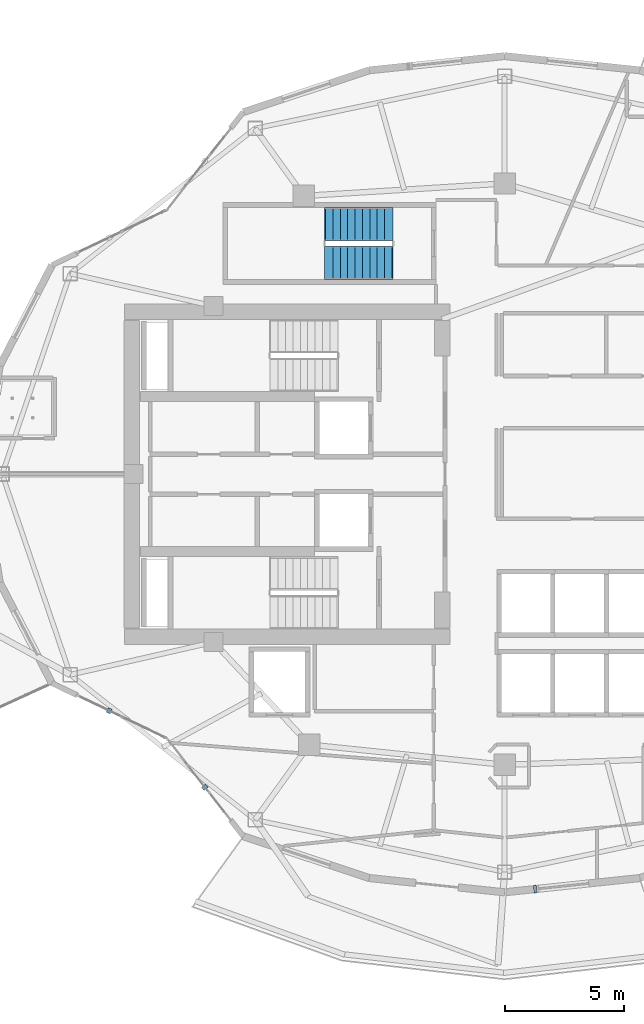
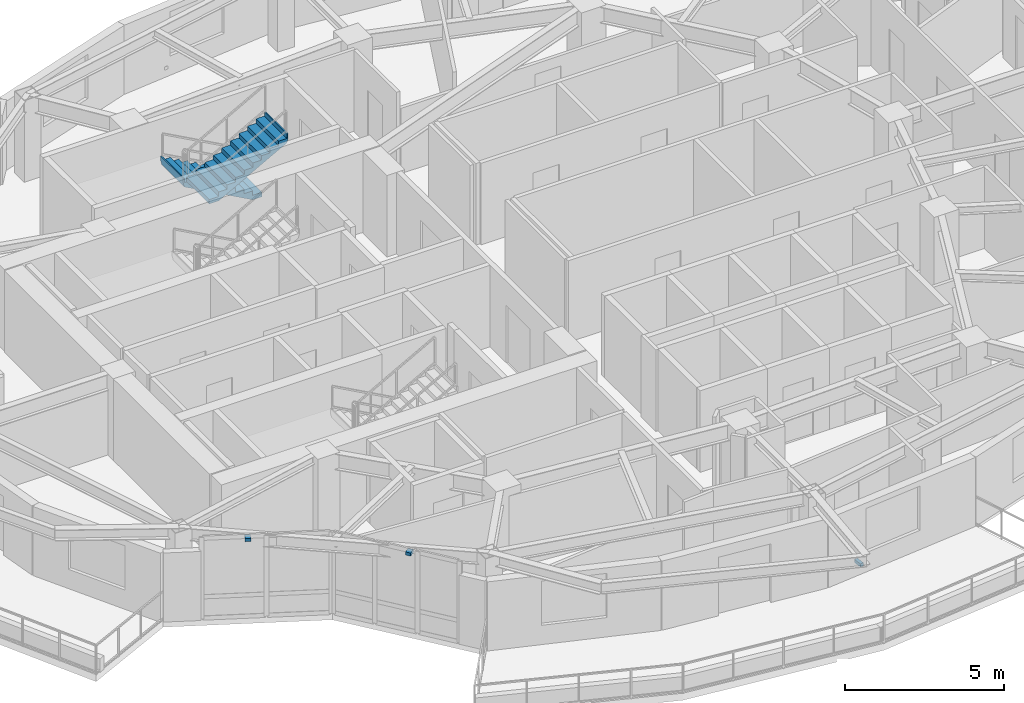
# One storey, part 13 of 19: 3 discrete accessories, 2 stair flights, 1 element without a shape of its own.
"""IFC4 building model written with IfcOpenShell, lengths in metres."""

from ifc_helpers import new_model, si_unit, direction, frame, origin, origin_2d, place, context, subcontext, project, spatial, polyline, rectangle, outline, extrude, material, type_object, element, aggregate, save


model = new_model("IFC4")

# Units and contexts
model_context = context("Model", 3, precision=1e-05, world=origin(), true_north=direction((0.0, 1.0)))
body_context = subcontext(model_context, "Body", "Model", "MODEL_VIEW")
ifc_project = project(units=[si_unit("LENGTHUNIT", "METRE"), si_unit("AREAUNIT", "SQUARE_METRE"), si_unit("VOLUMEUNIT", "CUBIC_METRE"), si_unit("PLANEANGLEUNIT", "RADIAN"), si_unit("MASSUNIT", "GRAM", prefix="KILO")], contexts=[model_context])

# Site, building, storey
site_placement = place(None, origin())
site = spatial("IfcSite", under=ifc_project, at=site_placement, CompositionType="ELEMENT")
building_placement = place(site_placement, origin())
building = spatial("IfcBuilding", under=site, at=building_placement, Name="Kolvaren Gate Tower and Convention Centre", CompositionType="ELEMENT")
storey_placement = place(building_placement, frame((0.0, 0.0, 163.10009765625)))
storey = spatial("IfcBuildingStorey", under=building, at=storey_placement, Name="L42", CompositionType="ELEMENT", Elevation=163.10009765625)

# Stair, stair flights
ifc_material_1 = material(Name="Concrete C50/60", Category="concrete")
stair_type = type_object("IfcStairType", Name="STR-STAIR-CORE", PredefinedType="HALF_TURN_STAIR", material=ifc_material_1)
stair_placement = place(storey_placement, origin())
stair = element("IfcStair", 1, at=stair_placement, inside=storey, type_object=stair_type, Name="L42 Tower Mid-Zone Exit Stair ST-T3", PredefinedType="HALF_TURN_STAIR")
stair_flight_type = type_object("IfcStairFlightType", Name="STR-SFL-1420", PredefinedType="STRAIGHT", material=ifc_material_1)
stair_flight_1_placement = place(storey_placement, frame((25.39990234375, 37.489990234375, 0.0), z_axis=(0.0, 0.0, 1.0), x_axis=(-1.0, 0.0, 0.0)))
stair_flight_1 = element("IfcStairFlight", 2, at=stair_flight_1_placement, type_object=stair_flight_type, Name="ST-T3 flight 1", NumberOfRisers=10, NumberOfTreads=9, PredefinedType="STRAIGHT", RiserHeight=0.17, TreadLength=0.31, context=body_context, shape_type="SweptSolid", body=[
    extrude(outline(polyline([(-0.034912109375, 0.0), (-0.034912109375, 0.169921875), (0.31005859375, 0.169921875), (0.31005859375, 0.340087890625), (0.6201171875, 0.340087890625), (0.6201171875, 0.510009765625), (0.929931640625, 0.510009765625), (0.929931640625, 0.679931640625), (1.239990234375, 0.679931640625), (1.239990234375, 0.85009765625), (1.550048828125, 0.85009765625), (1.550048828125, 1.02001953125), (1.860107421875, 1.02001953125), (1.860107421875, 1.18994140625), (2.169921875, 1.18994140625), (2.169921875, 1.360107421875), (2.47998046875, 1.360107421875), (2.47998046875, 1.530029296875), (2.7900390625, 1.530029296875), (2.7900390625, 1.699951171875), (2.8349609375, 1.699951171875), (2.8349609375, 1.5400390625), (2.7900390625, 1.359130859375), (0.311767578125, 0.0), (-0.034912109375, 0.0)])), frame((0.0, 0.7099609375, 0.0), z_axis=(0.0, -1.0, 0.0), x_axis=(1.0, 0.0, 0.0)), (0.0, 0.0, 1.0), 1.419921875),
])
stair_flight_2_placement = place(storey_placement, frame((22.610107421875, 35.8701171875, 1.699951171875), z_axis=(0.0, 0.0, 1.0), x_axis=(1.0, 0.0, 0.0)))
stair_flight_2 = element("IfcStairFlight", 3, at=stair_flight_2_placement, type_object=stair_flight_type, Name="ST-T3 flight 2", NumberOfRisers=10, NumberOfTreads=9, PredefinedType="STRAIGHT", RiserHeight=0.17, TreadLength=0.31, context=body_context, shape_type="SweptSolid", body=[
    extrude(outline(polyline([(-0.034912109375, 0.0), (-0.034912109375, 0.169921875), (0.31005859375, 0.169921875), (0.31005859375, 0.340087890625), (0.6201171875, 0.340087890625), (0.6201171875, 0.510009765625), (0.929931640625, 0.510009765625), (0.929931640625, 0.679931640625), (1.239990234375, 0.679931640625), (1.239990234375, 0.85009765625), (1.550048828125, 0.85009765625), (1.550048828125, 1.02001953125), (1.860107421875, 1.02001953125), (1.860107421875, 1.18994140625), (2.169921875, 1.18994140625), (2.169921875, 1.360107421875), (2.47998046875, 1.360107421875), (2.47998046875, 1.530029296875), (2.7900390625, 1.530029296875), (2.7900390625, 1.699951171875), (2.8349609375, 1.699951171875), (2.8349609375, 1.5400390625), (2.7900390625, 1.359130859375), (0.311767578125, 0.0), (-0.034912109375, 0.0)])), frame((0.0, 0.7099609375, 0.0), z_axis=(0.0, -1.0, 0.0), x_axis=(1.0, 0.0, 0.0)), (0.0, 0.0, 1.0), 1.419921875),
])
aggregate(stair, [stair_flight_1, stair_flight_2])

# Discrete accessories
ifc_material_2 = material(Name="Anodized Architectural Aluminium Alloy 6063-T6", Category="aluminium")
discrete_accessory_type = type_object("IfcDiscreteAccessoryType", Name="ARCH-ACC-BRACKET-120", PredefinedType="BRACKET", material=ifc_material_2)
for number, where, z_axis, x_axis, name in (
    (4, (13.531494140625, 17.069580078125, 2.949951171875), (0.0, 0.0, 1.0), (0.901358389955, -0.433073957723, 0.0), "Solar Screen Spandrel Anchor Bracket BK-L42-14"),
    (5, (17.54638671875, 13.857666015625, 2.949951171875), (0.0, 0.0, 1.0), (0.616434119112, -0.787406487651, 0.0), "Solar Screen Spandrel Anchor Bracket BK-L42-15"),
):
    element("IfcDiscreteAccessory", number, at=place(storey_placement, frame(where, z_axis=z_axis, x_axis=x_axis)), inside=storey, type_object=discrete_accessory_type, Name=name, PredefinedType="BRACKET", context=body_context, shape_type="SweptSolid", body=[
        extrude(rectangle(XDim=0.179931640625, YDim=0.219970703125, at=origin_2d()), origin(), (0.0, 0.0, 1.0), 0.1201171875),
    ])
discrete_accessory_placement = place(storey_placement, frame((31.407958984375, 9.585205078125, 0.289794921875), z_axis=(0.0, 0.0, 1.0), x_axis=(0.994499249941, 0.104743696069, 0.0)))
element("IfcDiscreteAccessory", 6, at=discrete_accessory_placement, inside=storey, type_object=discrete_accessory_type, Name="Ceramic Fin Wall Anchor Bracket FBK-L42-18", PredefinedType="BRACKET", context=body_context, shape_type="SweptSolid", body=[
    extrude(rectangle(XDim=0.1201171875, YDim=0.320068359375, at=origin_2d()), origin(), (0.0, 0.0, 1.0), 0.1201171875),
])

save(model, "model.ifc")
